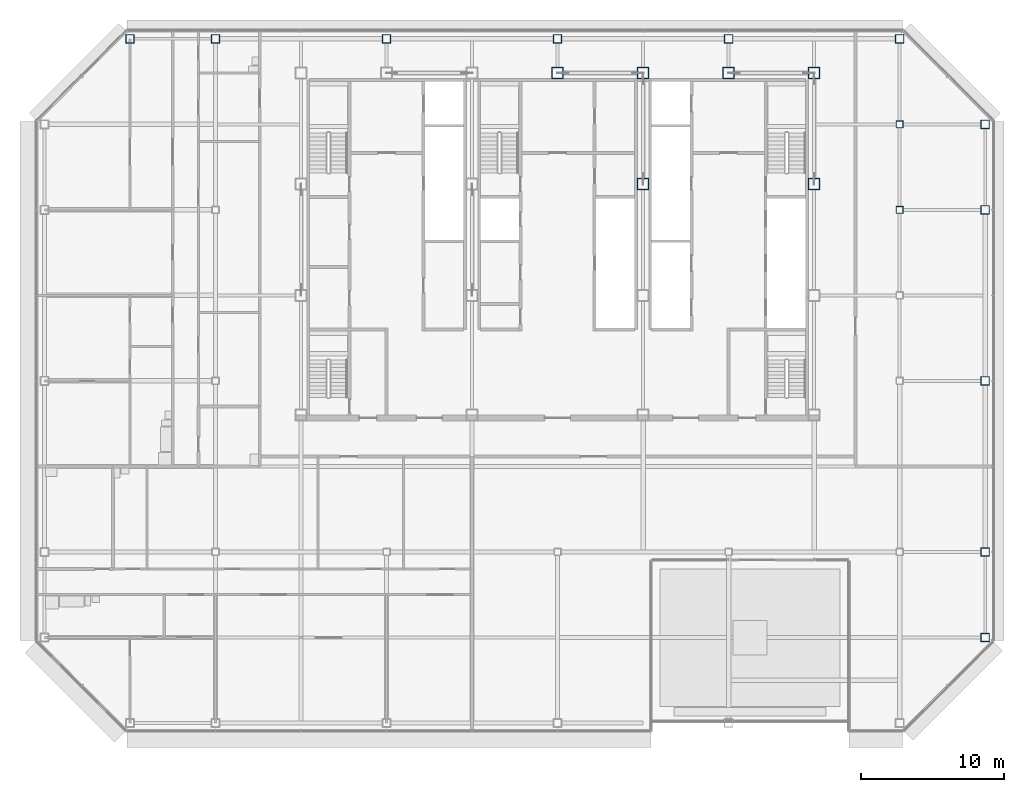
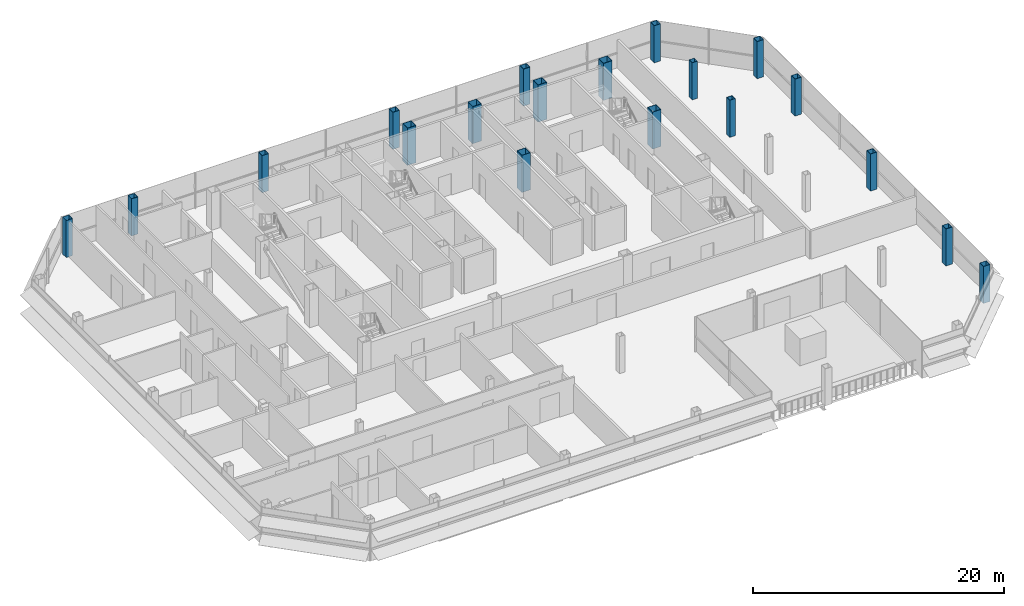
# One storey, part 2 of 30: 19 columns.
"""IFC4 building model written with IfcOpenShell, lengths in metres."""

from ifc_helpers import new_model, si_unit, direction, frame, origin, origin_2d, place, context, subcontext, project, spatial, hollow_rectangle, extrude, material, material_profile, profile_set, type_object, element, save


model = new_model("IFC4")

# Units and contexts
model_context = context("Model", 3, precision=1e-05, world=origin(), true_north=direction((0.0, 1.0)))
body_context = subcontext(model_context, "Body", "Model", "MODEL_VIEW")
ifc_project = project(units=[si_unit("LENGTHUNIT", "METRE"), si_unit("AREAUNIT", "SQUARE_METRE"), si_unit("VOLUMEUNIT", "CUBIC_METRE"), si_unit("PLANEANGLEUNIT", "RADIAN"), si_unit("MASSUNIT", "GRAM", prefix="KILO")], contexts=[model_context])

# Site, building, storey
site_placement = place(None, origin())
site = spatial("IfcSite", under=ifc_project, at=site_placement, CompositionType="ELEMENT")
building_placement = place(site_placement, origin())
building = spatial("IfcBuilding", under=site, at=building_placement, Name="Sorahane Residences", CompositionType="ELEMENT")
storey_placement = place(building_placement, frame((0.0, 0.0, 263.0)))
storey = spatial("IfcBuildingStorey", under=building, at=storey_placement, Name="L62", CompositionType="ELEMENT", Elevation=263.0)

# Columns
ifc_material_1 = material(Name="Steel Q355B", Category="steel")
ifc_material_profile_1 = material_profile(ifc_material_1, hollow_rectangle(XDim=0.5, YDim=0.5, WallThickness=0.02490234375, at=origin_2d()), Name="BOX 500x500x25")
ifc_profile_set_1 = profile_set([ifc_material_profile_1], Name="Steel Q355B")
column_type_1 = type_object("IfcColumnType", Name="Steel box column BOX 500x500x25 Q355B", PredefinedType="COLUMN", material=ifc_profile_set_1)
for number, where, z_axis, x_axis, name in (
    (1, (48.0, 36.0, 0.0), (0.0, 0.0, 1.0), (1.0, 0.0, 0.0), "Column L62 48/36"),
    (2, (48.0, 42.0, 0.0), (0.0, 0.0, 1.0), (1.0, 0.0, 0.0), "Column L62 48/42"),
):
    element("IfcColumn", number, at=place(storey_placement, frame(where, z_axis=z_axis, x_axis=x_axis)), inside=storey, type_object=column_type_1, Name=name, PredefinedType="COLUMN", context=body_context, shape_type="SweptSolid", body=[
        extrude(hollow_rectangle(XDim=0.5, YDim=0.5, WallThickness=0.02490234375, at=origin_2d()), origin(), (0.0, 0.0, 1.0), 3.60009765625),
    ])
ifc_material_2 = material(Name="Steel Q355B", Category="steel")
ifc_material_profile_2 = material_profile(ifc_material_2, hollow_rectangle(XDim=0.60009765625, YDim=0.60009765625, WallThickness=0.028076171875, at=origin_2d()), Name="BOX 600x600x28")
ifc_profile_set_2 = profile_set([ifc_material_profile_2], Name="Steel Q355B")
column_type_2 = type_object("IfcColumnType", Name="Steel box column BOX 600x600x28 Q355B", PredefinedType="COLUMN", material=ifc_profile_set_2)
for number, where, z_axis, x_axis, name in (
    (3, (-6.0, 48.0, 0.0), (0.0, 0.0, 1.0), (1.0, 0.0, 0.0), "Column L62 m6/48"),
    (4, (0.0, 48.0, 0.0), (0.0, 0.0, 1.0), (1.0, 0.0, 0.0), "Column L62 0/48"),
    (5, (12.0, 48.0, 0.0), (0.0, 0.0, 1.0), (1.0, 0.0, 0.0), "Column L62 12/48"),
    (6, (24.0, 48.0, 0.0), (0.0, 0.0, 1.0), (1.0, 0.0, 0.0), "Column L62 24/48"),
    (7, (36.0, 48.0, 0.0), (0.0, 0.0, 1.0), (1.0, 0.0, 0.0), "Column L62 36/48"),
    (8, (48.0, 48.0, 0.0), (0.0, 0.0, 1.0), (1.0, 0.0, 0.0), "Column L62 48/48"),
    (9, (54.0, 6.0, 0.0), (0.0, 0.0, 1.0), (1.0, 0.0, 0.0), "Column L62 54/6"),
    (10, (54.0, 12.0, 0.0), (0.0, 0.0, 1.0), (1.0, 0.0, 0.0), "Column L62 54/12"),
    (11, (54.0, 24.0, 0.0), (0.0, 0.0, 1.0), (1.0, 0.0, 0.0), "Column L62 54/24"),
    (12, (54.0, 36.0, 0.0), (0.0, 0.0, 1.0), (1.0, 0.0, 0.0), "Column L62 54/36"),
    (13, (54.0, 42.0, 0.0), (0.0, 0.0, 1.0), (1.0, 0.0, 0.0), "Column L62 54/42"),
):
    element("IfcColumn", number, at=place(storey_placement, frame(where, z_axis=z_axis, x_axis=x_axis)), inside=storey, type_object=column_type_2, Name=name, PredefinedType="COLUMN", context=body_context, shape_type="SweptSolid", body=[
        extrude(hollow_rectangle(XDim=0.60009765625, YDim=0.60009765625, WallThickness=0.028076171875, at=origin_2d()), origin(), (0.0, 0.0, 1.0), 3.60009765625),
    ])
ifc_material_3 = material(Name="Steel Q355B", Category="steel")
ifc_material_profile_3 = material_profile(ifc_material_3, hollow_rectangle(XDim=0.800048828125, YDim=0.800048828125, WallThickness=0.031982421875, at=origin_2d()), Name="BOX 800x800x32")
ifc_profile_set_3 = profile_set([ifc_material_profile_3], Name="Steel Q355B")
column_type_3 = type_object("IfcColumnType", Name="Steel box column BOX 800x800x32 Q355B", PredefinedType="COLUMN", material=ifc_profile_set_3)
for number, where, z_axis, x_axis, name in (
    (14, (24.0, 45.60009765625, 0.0), (0.0, 0.0, 1.0), (1.0, 0.0, 0.0), "Column L62 24/45.6"),
    (15, (30.0, 37.800048828125, 0.0), (0.0, 0.0, 1.0), (1.0, 0.0, 0.0), "Column L62 30/37.8"),
    (16, (30.0, 45.60009765625, 0.0), (0.0, 0.0, 1.0), (1.0, 0.0, 0.0), "Column L62 30/45.6"),
    (17, (36.0, 45.60009765625, 0.0), (0.0, 0.0, 1.0), (1.0, 0.0, 0.0), "Column L62 36/45.6"),
    (18, (42.0, 37.800048828125, 0.0), (0.0, 0.0, 1.0), (1.0, 0.0, 0.0), "Column L62 42/37.8"),
    (19, (42.0, 45.60009765625, 0.0), (0.0, 0.0, 1.0), (1.0, 0.0, 0.0), "Column L62 42/45.6"),
):
    element("IfcColumn", number, at=place(storey_placement, frame(where, z_axis=z_axis, x_axis=x_axis)), inside=storey, type_object=column_type_3, Name=name, PredefinedType="COLUMN", context=body_context, shape_type="SweptSolid", body=[
        extrude(hollow_rectangle(XDim=0.800048828125, YDim=0.800048828125, WallThickness=0.031982421875, at=origin_2d()), origin(), (0.0, 0.0, 1.0), 3.60009765625),
    ])

save(model, "model.ifc")
